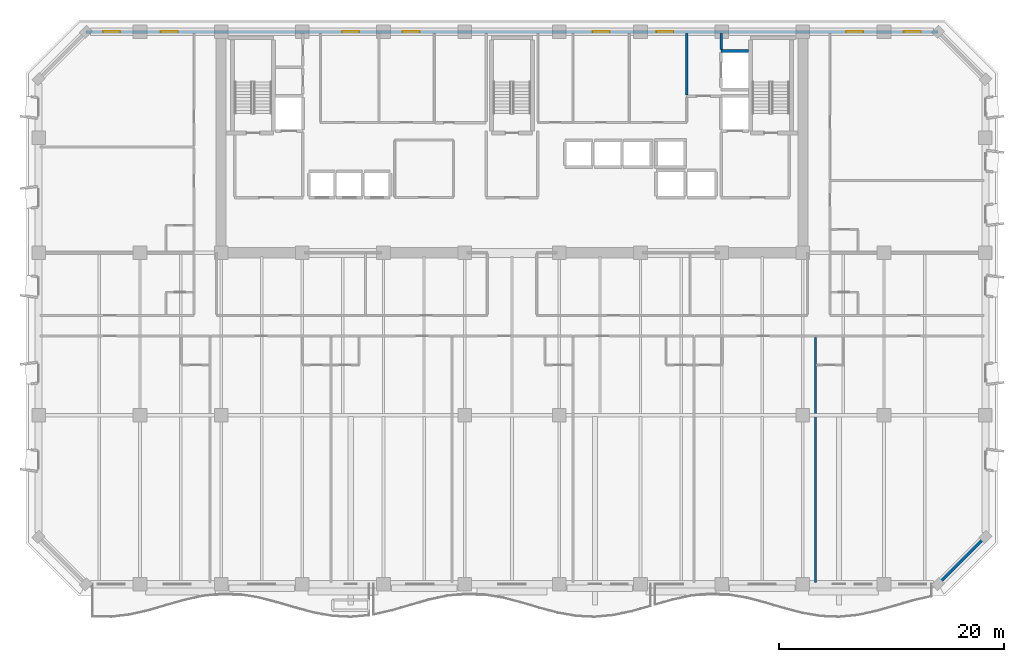
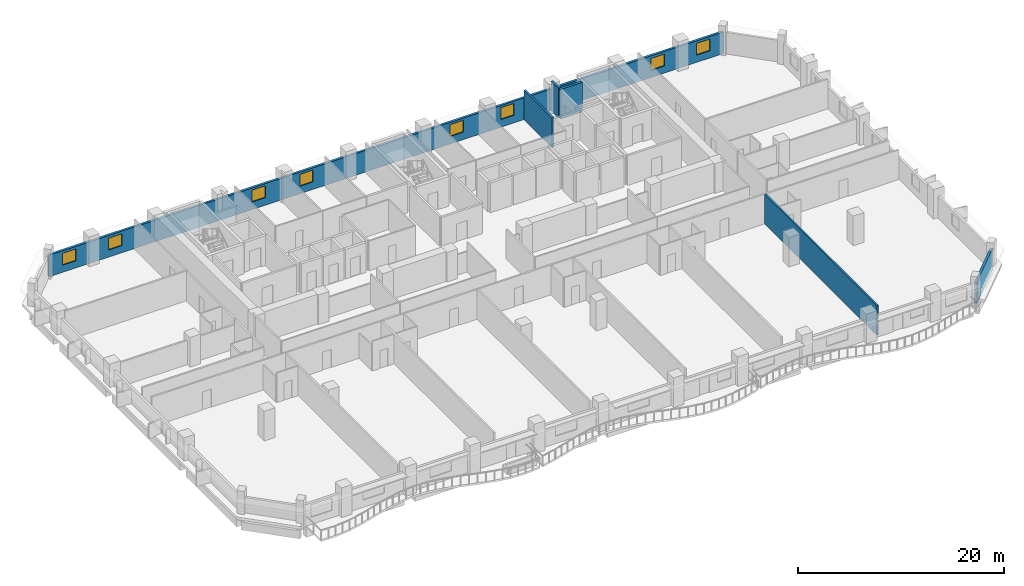
# One storey, part 9 of 15: 8 windows, 6 walls, 8 openings.
"""IFC4 building model written with IfcOpenShell, lengths in metres."""

from ifc_helpers import new_model, si_unit, direction, frame, frame_2d, origin, place, context, subcontext, project, spatial, rectangle, extrude, material, layer, layer_set, type_object, element, fill, save


model = new_model("IFC4")

# Units and contexts
model_context = context("Model", 3, precision=1e-05, world=origin(), true_north=direction((0.0, 1.0)))
body_context = subcontext(model_context, "Body", "Model", "MODEL_VIEW")
ifc_project = project(units=[si_unit("LENGTHUNIT", "METRE"), si_unit("AREAUNIT", "SQUARE_METRE"), si_unit("VOLUMEUNIT", "CUBIC_METRE"), si_unit("PLANEANGLEUNIT", "RADIAN"), si_unit("MASSUNIT", "GRAM", prefix="KILO")], contexts=[model_context])

# Site, building, storey
site_placement = place(None, origin())
site = spatial("IfcSite", under=ifc_project, at=site_placement, CompositionType="ELEMENT")
building_placement = place(site_placement, origin())
building = spatial("IfcBuilding", under=site, at=building_placement, Name="Kaelvorn Grand Hotel", CompositionType="ELEMENT")
storey_placement = place(building_placement, frame((0.0, 0.0, 96.800048828125)))
storey = spatial("IfcBuildingStorey", under=building, at=storey_placement, Name="L22", CompositionType="ELEMENT", Elevation=96.800048828125)

# Wall
ifc_material_1 = material(Name="Concrete C40/50", Category="concrete")
ifc_layer_1 = layer(ifc_material_1, 0.260009765625)
ifc_layer_set_1 = layer_set([ifc_layer_1], Name="Concrete C40/50")
wall_type_1 = type_object("IfcWallType", Name="WL-EXT-260-C40", PredefinedType="SOLIDWALL", material=ifc_layer_set_1)
wall_1_placement = place(storey_placement, frame((79.800048828125, 0.0, 0.0), z_axis=(0.0, 0.0, 1.0), x_axis=(0.707106781187, 0.707106781187, 0.0)))
element("IfcWall", 1, at=wall_1_placement, inside=storey, type_object=wall_type_1, Name="L22 Exterior Architectural Concrete Wall 02", PredefinedType="SOLIDWALL", context=body_context, shape_type="SweptSolid", body=[
    extrude(rectangle(XDim=5.939697265625, YDim=0.260009765625, at=frame_2d((2.9697265625, 0.0))), origin(), (0.0, 0.0, 1.0), 2.56005859375),
])

# Wall, openings, windows
wall_2_placement = place(storey_placement, frame((79.800048828125, 49.0, 0.0), z_axis=(0.0, 0.0, 1.0), x_axis=(-1.0, 0.0, 0.0)))
wall_2 = element("IfcWall", 2, at=wall_2_placement, inside=storey, type_object=wall_type_1, Name="L22 Exterior Architectural Concrete Wall 05", PredefinedType="SOLIDWALL", context=body_context, shape_type="SweptSolid", body=[
    extrude(rectangle(XDim=75.60009765625, YDim=0.260009765625, at=frame_2d((37.800048828125, 0.0))), origin(), (0.0, 0.0, 1.0), 2.56005859375),
])
opening_1_placement = place(wall_2_placement, frame((72.56494140625, 0.0, 0.85009765625)))
opening_1 = element("IfcOpeningElement", 3, at=opening_1_placement, cuts=wall_2, Name="Opening W10", PredefinedType="OPENING", context=body_context, shape_type="SweptSolid", body=[
    extrude(rectangle(XDim=1.5, YDim=1.39990234375, at=frame_2d((0.75, 0.699951171875))), frame((0.0, 0.14013671875, 0.0), z_axis=(0.0, -1.0, 0.0), x_axis=(1.0, 0.0, 0.0)), (0.0, 0.0, 1.0), 0.280029296875),
])
opening_2_placement = place(wall_2_placement, frame((67.449951171875, 0.0, 0.85009765625)))
opening_2 = element("IfcOpeningElement", 4, at=opening_2_placement, cuts=wall_2, Name="Opening W10", PredefinedType="OPENING", context=body_context, shape_type="SweptSolid", body=[
    extrude(rectangle(XDim=1.5, YDim=1.39990234375, at=frame_2d((0.75, 0.699951171875))), frame((0.0, 0.14013671875, 0.0), z_axis=(0.0, -1.0, 0.0), x_axis=(1.0, 0.0, 0.0)), (0.0, 0.0, 1.0), 0.280029296875),
])
opening_3_placement = place(wall_2_placement, frame((6.64990234375, 0.0, 0.85009765625)))
opening_3 = element("IfcOpeningElement", 5, at=opening_3_placement, cuts=wall_2, Name="Opening W10", PredefinedType="OPENING", context=body_context, shape_type="SweptSolid", body=[
    extrude(rectangle(XDim=1.5, YDim=1.39990234375, at=frame_2d((0.75, 0.699951171875))), frame((0.0, 0.14013671875, 0.0), z_axis=(0.0, -1.0, 0.0), x_axis=(1.0, 0.0, 0.0)), (0.0, 0.0, 1.0), 0.280029296875),
])
opening_4_placement = place(wall_2_placement, frame((1.534912109375, 0.0, 0.85009765625)))
opening_4 = element("IfcOpeningElement", 6, at=opening_4_placement, cuts=wall_2, Name="Opening W10", PredefinedType="OPENING", context=body_context, shape_type="SweptSolid", body=[
    extrude(rectangle(XDim=1.5, YDim=1.39990234375, at=frame_2d((0.75, 0.699951171875))), frame((0.0, 0.14013671875, 0.0), z_axis=(0.0, -1.0, 0.0), x_axis=(1.0, 0.0, 0.0)), (0.0, 0.0, 1.0), 0.280029296875),
])
opening_5_placement = place(wall_2_placement, frame((51.364990234375, 0.0, 0.89990234375)))
opening_5 = element("IfcOpeningElement", 7, at=opening_5_placement, cuts=wall_2, Name="Opening W10", PredefinedType="OPENING", context=body_context, shape_type="SweptSolid", body=[
    extrude(rectangle(XDim=1.5, YDim=1.39990234375, at=frame_2d((0.75, 0.699951171875))), frame((0.0, 0.14013671875, 0.0), z_axis=(0.0, -1.0, 0.0), x_axis=(1.0, 0.0, 0.0)), (0.0, 0.0, 1.0), 0.280029296875),
])
opening_6_placement = place(wall_2_placement, frame((46.0, 0.0, 0.89990234375)))
opening_6 = element("IfcOpeningElement", 8, at=opening_6_placement, cuts=wall_2, Name="Opening W10", PredefinedType="OPENING", context=body_context, shape_type="SweptSolid", body=[
    extrude(rectangle(XDim=1.5, YDim=1.39990234375, at=frame_2d((0.75, 0.699951171875))), frame((0.0, 0.14013671875, 0.0), z_axis=(0.0, -1.0, 0.0), x_axis=(1.0, 0.0, 0.0)), (0.0, 0.0, 1.0), 0.280029296875),
])
opening_7_placement = place(wall_2_placement, frame((29.14990234375, 0.0, 0.89990234375)))
opening_7 = element("IfcOpeningElement", 9, at=opening_7_placement, cuts=wall_2, Name="Opening W10", PredefinedType="OPENING", context=body_context, shape_type="SweptSolid", body=[
    extrude(rectangle(XDim=1.5, YDim=1.39990234375, at=frame_2d((0.75, 0.699951171875))), frame((0.0, 0.14013671875, 0.0), z_axis=(0.0, -1.0, 0.0), x_axis=(1.0, 0.0, 0.0)), (0.0, 0.0, 1.0), 0.280029296875),
])
opening_8_placement = place(wall_2_placement, frame((23.485107421875, 0.0, 0.89990234375)))
opening_8 = element("IfcOpeningElement", 10, at=opening_8_placement, cuts=wall_2, Name="Opening W10", PredefinedType="OPENING", context=body_context, shape_type="SweptSolid", body=[
    extrude(rectangle(XDim=1.5, YDim=1.39990234375, at=frame_2d((0.75, 0.699951171875))), frame((0.0, 0.14013671875, 0.0), z_axis=(0.0, -1.0, 0.0), x_axis=(1.0, 0.0, 0.0)), (0.0, 0.0, 1.0), 0.280029296875),
])
ifc_material_2 = material(Name="Laminated Low-E Glass", Category="glass")
window_type = type_object("IfcWindowType", Name="WIN-COR-1500x1400", PartitioningType="SINGLE_PANEL", PredefinedType="WINDOW", material=ifc_material_2)
window_1_placement = place(opening_1_placement, origin())
window_1 = element("IfcWindow", 11, at=window_1_placement, inside=storey, type_object=window_type, Name="L22 North Wing Ribbon Window NW01", OverallHeight=1.39990234375, OverallWidth=1.5, PartitioningType="SINGLE_PANEL", PredefinedType="WINDOW", context=body_context, shape_type="SweptSolid", body=[
    extrude(rectangle(XDim=1.5, YDim=1.39990234375, at=frame_2d((0.75, 0.699951171875))), frame((0.0, 0.030029296875, 0.0), z_axis=(0.0, -1.0, 0.0), x_axis=(1.0, 0.0, 0.0)), (0.0, 0.0, 1.0), 0.06005859375),
])
fill(opening_1, window_1)
window_2_placement = place(opening_2_placement, origin())
window_2 = element("IfcWindow", 12, at=window_2_placement, inside=storey, type_object=window_type, Name="L22 North Wing Ribbon Window NW02", OverallHeight=1.39990234375, OverallWidth=1.5, PartitioningType="SINGLE_PANEL", PredefinedType="WINDOW", context=body_context, shape_type="SweptSolid", body=[
    extrude(rectangle(XDim=1.5, YDim=1.39990234375, at=frame_2d((0.75, 0.699951171875))), frame((0.0, 0.030029296875, 0.0), z_axis=(0.0, -1.0, 0.0), x_axis=(1.0, 0.0, 0.0)), (0.0, 0.0, 1.0), 0.06005859375),
])
fill(opening_2, window_2)
window_3_placement = place(opening_3_placement, origin())
window_3 = element("IfcWindow", 13, at=window_3_placement, inside=storey, type_object=window_type, Name="L22 North Wing Ribbon Window NW03", OverallHeight=1.39990234375, OverallWidth=1.5, PartitioningType="SINGLE_PANEL", PredefinedType="WINDOW", context=body_context, shape_type="SweptSolid", body=[
    extrude(rectangle(XDim=1.5, YDim=1.39990234375, at=frame_2d((0.75, 0.699951171875))), frame((0.0, 0.030029296875, 0.0), z_axis=(0.0, -1.0, 0.0), x_axis=(1.0, 0.0, 0.0)), (0.0, 0.0, 1.0), 0.06005859375),
])
fill(opening_3, window_3)
window_4_placement = place(opening_4_placement, origin())
window_4 = element("IfcWindow", 14, at=window_4_placement, inside=storey, type_object=window_type, Name="L22 North Wing Ribbon Window NW04", OverallHeight=1.39990234375, OverallWidth=1.5, PartitioningType="SINGLE_PANEL", PredefinedType="WINDOW", context=body_context, shape_type="SweptSolid", body=[
    extrude(rectangle(XDim=1.5, YDim=1.39990234375, at=frame_2d((0.75, 0.699951171875))), frame((0.0, 0.030029296875, 0.0), z_axis=(0.0, -1.0, 0.0), x_axis=(1.0, 0.0, 0.0)), (0.0, 0.0, 1.0), 0.06005859375),
])
fill(opening_4, window_4)
window_5_placement = place(opening_5_placement, origin())
window_5 = element("IfcWindow", 15, at=window_5_placement, inside=storey, type_object=window_type, Name="L22 North Core Clerestory Ribbon Window NC05", OverallHeight=1.39990234375, OverallWidth=1.5, PartitioningType="SINGLE_PANEL", PredefinedType="WINDOW", context=body_context, shape_type="SweptSolid", body=[
    extrude(rectangle(XDim=1.5, YDim=1.39990234375, at=frame_2d((0.75, 0.699951171875))), frame((0.0, 0.030029296875, 0.0), z_axis=(0.0, -1.0, 0.0), x_axis=(1.0, 0.0, 0.0)), (0.0, 0.0, 1.0), 0.06005859375),
])
fill(opening_5, window_5)
window_6_placement = place(opening_6_placement, origin())
window_6 = element("IfcWindow", 16, at=window_6_placement, inside=storey, type_object=window_type, Name="L22 North Core Clerestory Ribbon Window NC06", OverallHeight=1.39990234375, OverallWidth=1.5, PartitioningType="SINGLE_PANEL", PredefinedType="WINDOW", context=body_context, shape_type="SweptSolid", body=[
    extrude(rectangle(XDim=1.5, YDim=1.39990234375, at=frame_2d((0.75, 0.699951171875))), frame((0.0, 0.030029296875, 0.0), z_axis=(0.0, -1.0, 0.0), x_axis=(1.0, 0.0, 0.0)), (0.0, 0.0, 1.0), 0.06005859375),
])
fill(opening_6, window_6)
window_7_placement = place(opening_7_placement, origin())
window_7 = element("IfcWindow", 17, at=window_7_placement, inside=storey, type_object=window_type, Name="L22 North Core Clerestory Ribbon Window NC07", OverallHeight=1.39990234375, OverallWidth=1.5, PartitioningType="SINGLE_PANEL", PredefinedType="WINDOW", context=body_context, shape_type="SweptSolid", body=[
    extrude(rectangle(XDim=1.5, YDim=1.39990234375, at=frame_2d((0.75, 0.699951171875))), frame((0.0, 0.030029296875, 0.0), z_axis=(0.0, -1.0, 0.0), x_axis=(1.0, 0.0, 0.0)), (0.0, 0.0, 1.0), 0.06005859375),
])
fill(opening_7, window_7)
window_8_placement = place(opening_8_placement, origin())
window_8 = element("IfcWindow", 18, at=window_8_placement, inside=storey, type_object=window_type, Name="L22 North Core Clerestory Ribbon Window NC08", OverallHeight=1.39990234375, OverallWidth=1.5, PartitioningType="SINGLE_PANEL", PredefinedType="WINDOW", context=body_context, shape_type="SweptSolid", body=[
    extrude(rectangle(XDim=1.5, YDim=1.39990234375, at=frame_2d((0.75, 0.699951171875))), frame((0.0, 0.030029296875, 0.0), z_axis=(0.0, -1.0, 0.0), x_axis=(1.0, 0.0, 0.0)), (0.0, 0.0, 1.0), 0.06005859375),
])
fill(opening_8, window_8)

# Walls
ifc_material_3 = material(Name="Acoustic Gypsum & Stud Partition")
ifc_layer_2 = layer(ifc_material_3, 0.179931640625)
ifc_layer_set_2 = layer_set([ifc_layer_2], Name="Acoustic Gypsum & Stud Partition")
wall_type_2 = type_object("IfcWallType", Name="WL-PART-180-EI60", PredefinedType="PARTITIONING", material=ifc_layer_set_2)
wall_3_placement = place(storey_placement, frame((68.907470703125, 0.14990234375, 0.0), z_axis=(0.0, 0.0, 1.0), x_axis=(0.0, 1.0, 0.0)))
element("IfcWall", 19, at=wall_3_placement, inside=storey, type_object=wall_type_2, Name="L22 Deluxe Panoramic Suite L22-06 E Partition", PredefinedType="PARTITIONING", context=body_context, shape_type="SweptSolid", body=[
    extrude(rectangle(XDim=21.755126953125, YDim=0.179931640625, at=frame_2d((10.87744140625, 0.0))), origin(), (0.0, 0.0, 1.0), 3.510009765625),
])
ifc_layer_3 = layer(ifc_material_1, 0.219970703125)
ifc_layer_set_3 = layer_set([ifc_layer_3], Name="Concrete C40/50")
wall_type_3 = type_object("IfcWallType", Name="WL-PART-220-EI120", PredefinedType="PARTITIONING", material=ifc_layer_set_3)
wall_4_placement = place(storey_placement, frame((57.5, 43.4150390625, 0.0), z_axis=(0.0, 0.0, 1.0), x_axis=(0.0, 1.0, 0.0)))
element("IfcWall", 20, at=wall_4_placement, inside=storey, type_object=wall_type_3, Name="L22 Service Lift Lobby W Partition", PredefinedType="PARTITIONING", context=body_context, shape_type="SweptSolid", body=[
    extrude(rectangle(XDim=5.43505859375, YDim=0.219970703125, at=frame_2d((2.717529296875, 0.0))), origin(), (0.0, 0.0, 1.0), 3.510009765625),
])
wall_5_placement = place(storey_placement, frame((60.550048828125, 47.445068359375, 0.0), z_axis=(0.0, 0.0, 1.0), x_axis=(0.0, 1.0, 0.0)))
element("IfcWall", 21, at=wall_5_placement, inside=storey, type_object=wall_type_3, Name="L22 Service Lift Lobby E Partition", PredefinedType="PARTITIONING", context=body_context, shape_type="SweptSolid", body=[
    extrude(rectangle(XDim=1.405029296875, YDim=0.219970703125, at=frame_2d((0.70263671875, 0.0))), origin(), (0.0, 0.0, 1.0), 3.510009765625),
])
ifc_material_4 = material(Name="Concrete C50/60", Category="concrete")
ifc_layer_4 = layer(ifc_material_4, 0.280029296875)
ifc_layer_set_4 = layer_set([ifc_layer_4], Name="Concrete C50/60")
wall_type_4 = type_object("IfcWallType", Name="WL-SHAFT-280-C50", PredefinedType="SHEAR", material=ifc_layer_set_4)
wall_6_placement = place(storey_placement, frame((60.550048828125, 47.300048828125, 0.0), z_axis=(0.0, 0.0, 1.0), x_axis=(1.0, 0.0, 0.0)))
element("IfcWall", 22, at=wall_6_placement, inside=storey, type_object=wall_type_4, Name="L22 Lift SV1 Shaft North Wall", PredefinedType="SHEAR", context=body_context, shape_type="SweptSolid", body=[
    extrude(rectangle(XDim=2.4150390625, YDim=0.280029296875, at=frame_2d((1.20751953125, 0.0))), origin(), (0.0, 0.0, 1.0), 3.510009765625),
])

save(model, "model.ifc")
